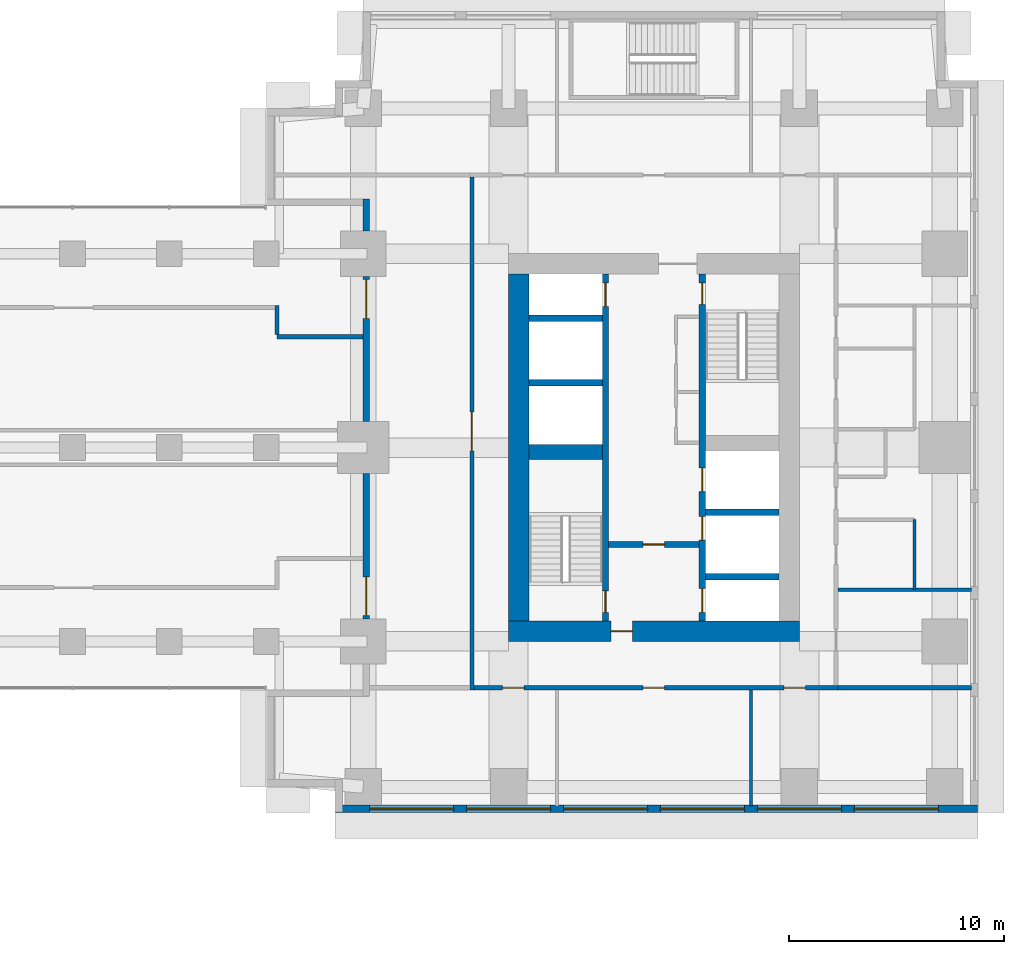
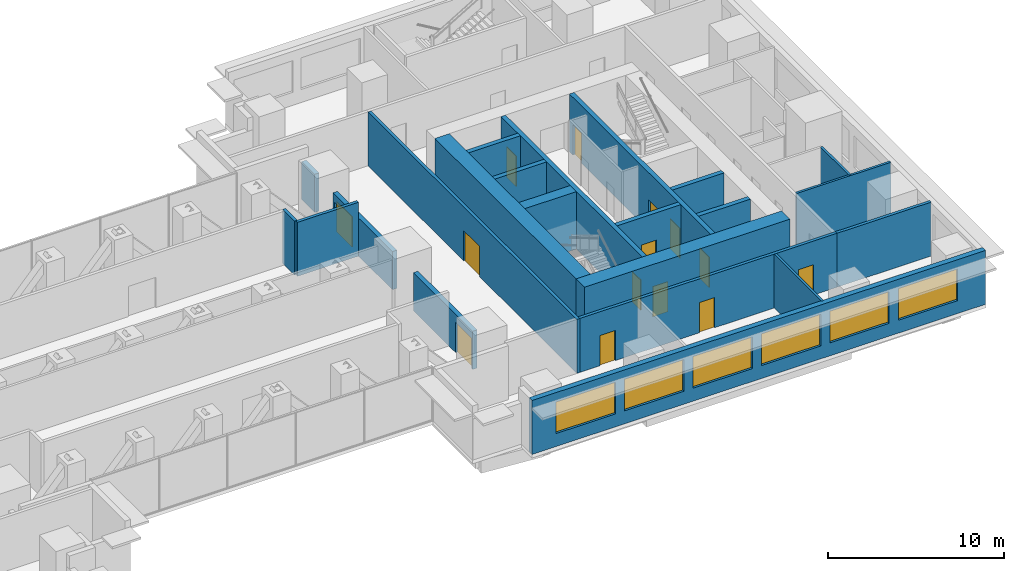
# One storey, part 10 of 15: 22 walls, 14 doors, 6 windows, 20 openings.
"""IFC4 building model written with IfcOpenShell, lengths in metres."""

from ifc_helpers import new_model, si_unit, direction, frame, frame_2d, origin, place, context, subcontext, project, spatial, rectangle, extrude, material, layer, layer_set, type_object, element, fill, save


model = new_model("IFC4")

# Units and contexts
model_context = context("Model", 3, precision=1e-05, world=origin(), true_north=direction((0.0, 1.0)))
body_context = subcontext(model_context, "Body", "Model", "MODEL_VIEW")
ifc_project = project(units=[si_unit("LENGTHUNIT", "METRE"), si_unit("AREAUNIT", "SQUARE_METRE"), si_unit("VOLUMEUNIT", "CUBIC_METRE"), si_unit("PLANEANGLEUNIT", "RADIAN"), si_unit("MASSUNIT", "GRAM", prefix="KILO")], contexts=[model_context])

# Site, building, storey
site_placement = place(None, origin())
site = spatial("IfcSite", under=ifc_project, at=site_placement, CompositionType="ELEMENT")
building_placement = place(site_placement, origin())
building = spatial("IfcBuilding", under=site, at=building_placement, Name="Namib Vertical Campus", CompositionType="ELEMENT")
storey_placement = place(building_placement, frame((0.0, 0.0, 109.0)))
storey = spatial("IfcBuildingStorey", under=building, at=storey_placement, Name="L25", CompositionType="ELEMENT", Elevation=109.0)

# Wall, openings, doors
ifc_material_1 = material(Name="Concrete C60/75", Category="concrete")
ifc_layer_1 = layer(ifc_material_1, 0.300048828125)
ifc_layer_set_1 = layer_set([ifc_layer_1], Name="Concrete C60/75")
wall_type_1 = type_object("IfcWallType", Name="Core inner wall 300", PredefinedType="SHEAR", material=ifc_layer_set_1)
wall_1_placement = place(storey_placement, frame((78.75, 12.199951171875, 0.0), z_axis=(0.0, 0.0, 1.0), x_axis=(0.0, 1.0, 0.0)))
wall_1 = element("IfcWall", 1, at=wall_1_placement, inside=storey, type_object=wall_type_1, Name="Core inner wall B L25 W1", PredefinedType="SHEAR", context=body_context, shape_type="SweptSolid", body=[
    extrude(rectangle(XDim=16.10009765625, YDim=0.300048828125, at=frame_2d((8.050048828125, 0.0))), origin(), (0.0, 0.0, 1.0), 4.0),
])
opening_1_placement = place(wall_1_placement, frame((0.39990234375, 0.0, 0.0)))
opening_1 = element("IfcOpeningElement", 2, at=opening_1_placement, cuts=wall_1, Name="Opening FD1", PredefinedType="OPENING", context=body_context, shape_type="SweptSolid", body=[
    extrude(rectangle(XDim=1.0, YDim=2.10009765625, at=frame_2d((0.5, 1.050048828125))), frame((0.0, 0.159912109375, 0.0), z_axis=(0.0, -1.0, 0.0), x_axis=(1.0, 0.0, 0.0)), (0.0, 0.0, 1.0), 0.320068359375),
])
opening_2_placement = place(wall_1_placement, frame((14.60009765625, 0.0, 0.0)))
opening_2 = element("IfcOpeningElement", 3, at=opening_2_placement, cuts=wall_1, Name="Opening LD1", PredefinedType="OPENING", context=body_context, shape_type="SweptSolid", body=[
    extrude(rectangle(XDim=1.10009765625, YDim=2.10009765625, at=frame_2d((0.550048828125, 1.050048828125))), frame((0.0, 0.159912109375, 0.0), z_axis=(0.0, -1.0, 0.0), x_axis=(1.0, 0.0, 0.0)), (0.0, 0.0, 1.0), 0.320068359375),
])
ifc_material_2 = material(Name="Steel fire door", Category="steel")
door_type_1 = type_object("IfcDoorType", Name="Fire door 1000x2100", OperationType="SINGLE_SWING_RIGHT", PredefinedType="DOOR", material=ifc_material_2)
door_1_placement = place(opening_1_placement, origin())
door_1 = element("IfcDoor", 4, at=door_1_placement, inside=storey, type_object=door_type_1, Name="Stair door FD1 B L25 S1", OperationType="SINGLE_SWING_LEFT", OverallHeight=2.10009765625, OverallWidth=1.0, PredefinedType="DOOR", context=body_context, shape_type="SweptSolid", body=[
    extrude(rectangle(XDim=1.0, YDim=2.10009765625, at=frame_2d((0.5, 1.050048828125))), frame((0.0, 0.02490234375, 0.0), z_axis=(0.0, -1.0, 0.0), x_axis=(1.0, 0.0, 0.0)), (0.0, 0.0, 1.0), 0.050048828125),
])
fill(opening_1, door_1)
ifc_material_3 = material(Name="Stainless steel lift door", Category="steel")
door_type_2 = type_object("IfcDoorType", Name="Lift landing door 1100x2100", OperationType="DOUBLE_DOOR_SLIDING", PredefinedType="DOOR", material=ifc_material_3)
door_2_placement = place(opening_2_placement, origin())
door_2 = element("IfcDoor", 5, at=door_2_placement, inside=storey, type_object=door_type_2, Name="Lift landing door LD1 B-P3 L25", OperationType="DOUBLE_DOOR_SLIDING", OverallHeight=2.10009765625, OverallWidth=1.10009765625, PredefinedType="DOOR", context=body_context, shape_type="SweptSolid", body=[
    extrude(rectangle(XDim=1.10009765625, YDim=2.10009765625, at=frame_2d((0.550048828125, 1.050048828125))), frame((0.0, 0.02490234375, 0.0), z_axis=(0.0, -1.0, 0.0), x_axis=(1.0, 0.0, 0.0)), (0.0, 0.0, 1.0), 0.050048828125),
])
fill(opening_2, door_2)

wall_2_placement = place(storey_placement, frame((83.25, 12.199951171875, 0.0), z_axis=(0.0, 0.0, 1.0), x_axis=(0.0, 1.0, 0.0)))
wall_2 = element("IfcWall", 6, at=wall_2_placement, inside=storey, type_object=wall_type_1, Name="Core inner wall B L25 W2", PredefinedType="SHEAR", context=body_context, shape_type="SweptSolid", body=[
    extrude(rectangle(XDim=16.10009765625, YDim=0.300048828125, at=frame_2d((8.050048828125, 0.0))), origin(), (0.0, 0.0, 1.0), 4.0),
])
opening_3_placement = place(wall_2_placement, frame((14.699951171875, 0.0, 0.0)))
opening_3 = element("IfcOpeningElement", 7, at=opening_3_placement, cuts=wall_2, Name="Opening FD1", PredefinedType="OPENING", context=body_context, shape_type="SweptSolid", body=[
    extrude(rectangle(XDim=1.0, YDim=2.10009765625, at=frame_2d((0.5, 1.050048828125))), frame((0.0, 0.159912109375, 0.0), z_axis=(0.0, -1.0, 0.0), x_axis=(1.0, 0.0, 0.0)), (0.0, 0.0, 1.0), 0.320068359375),
])
opening_4_placement = place(wall_2_placement, frame((0.39990234375, 0.0, 0.0)))
opening_4 = element("IfcOpeningElement", 8, at=opening_4_placement, cuts=wall_2, Name="Opening LD1", PredefinedType="OPENING", context=body_context, shape_type="SweptSolid", body=[
    extrude(rectangle(XDim=1.10009765625, YDim=2.10009765625, at=frame_2d((0.550048828125, 1.050048828125))), frame((0.0, 0.159912109375, 0.0), z_axis=(0.0, -1.0, 0.0), x_axis=(1.0, 0.0, 0.0)), (0.0, 0.0, 1.0), 0.320068359375),
])
opening_5_placement = place(wall_2_placement, frame((3.75, 0.0, 0.0)))
opening_5 = element("IfcOpeningElement", 9, at=opening_5_placement, cuts=wall_2, Name="Opening LD1", PredefinedType="OPENING", context=body_context, shape_type="SweptSolid", body=[
    extrude(rectangle(XDim=1.10009765625, YDim=2.10009765625, at=frame_2d((0.550048828125, 1.050048828125))), frame((0.0, 0.159912109375, 0.0), z_axis=(0.0, -1.0, 0.0), x_axis=(1.0, 0.0, 0.0)), (0.0, 0.0, 1.0), 0.320068359375),
])
opening_6_placement = place(wall_2_placement, frame((6.0, 0.0, 0.0)))
opening_6 = element("IfcOpeningElement", 10, at=opening_6_placement, cuts=wall_2, Name="Opening LD1", PredefinedType="OPENING", context=body_context, shape_type="SweptSolid", body=[
    extrude(rectangle(XDim=1.10009765625, YDim=2.10009765625, at=frame_2d((0.550048828125, 1.050048828125))), frame((0.0, 0.159912109375, 0.0), z_axis=(0.0, -1.0, 0.0), x_axis=(1.0, 0.0, 0.0)), (0.0, 0.0, 1.0), 0.320068359375),
])
door_3_placement = place(opening_3_placement, frame((1.0, 0.0, 0.0), z_axis=(0.0, 0.0, 1.0), x_axis=(-1.0, 0.0, 0.0)))
door_3 = element("IfcDoor", 11, at=door_3_placement, inside=storey, type_object=door_type_1, Name="Stair door FD1 B L25 S2", OperationType="SINGLE_SWING_LEFT", OverallHeight=2.10009765625, OverallWidth=1.0, PredefinedType="DOOR", context=body_context, shape_type="SweptSolid", body=[
    extrude(rectangle(XDim=1.0, YDim=2.10009765625, at=frame_2d((0.5, 1.050048828125))), frame((0.0, 0.02490234375, 0.0), z_axis=(0.0, -1.0, 0.0), x_axis=(1.0, 0.0, 0.0)), (0.0, 0.0, 1.0), 0.050048828125),
])
fill(opening_3, door_3)
door_4_placement = place(opening_4_placement, origin())
door_4 = element("IfcDoor", 12, at=door_4_placement, inside=storey, type_object=door_type_2, Name="Lift landing door LD1 B-FL1 L25", OperationType="DOUBLE_DOOR_SLIDING", OverallHeight=2.10009765625, OverallWidth=1.10009765625, PredefinedType="DOOR", context=body_context, shape_type="SweptSolid", body=[
    extrude(rectangle(XDim=1.10009765625, YDim=2.10009765625, at=frame_2d((0.550048828125, 1.050048828125))), frame((0.0, 0.02490234375, 0.0), z_axis=(0.0, -1.0, 0.0), x_axis=(1.0, 0.0, 0.0)), (0.0, 0.0, 1.0), 0.050048828125),
])
fill(opening_4, door_4)
door_5_placement = place(opening_5_placement, origin())
door_5 = element("IfcDoor", 13, at=door_5_placement, inside=storey, type_object=door_type_2, Name="Lift landing door LD1 B-P4 L25", OperationType="DOUBLE_DOOR_SLIDING", OverallHeight=2.10009765625, OverallWidth=1.10009765625, PredefinedType="DOOR", context=body_context, shape_type="SweptSolid", body=[
    extrude(rectangle(XDim=1.10009765625, YDim=2.10009765625, at=frame_2d((0.550048828125, 1.050048828125))), frame((0.0, 0.02490234375, 0.0), z_axis=(0.0, -1.0, 0.0), x_axis=(1.0, 0.0, 0.0)), (0.0, 0.0, 1.0), 0.050048828125),
])
fill(opening_5, door_5)
door_6_placement = place(opening_6_placement, origin())
door_6 = element("IfcDoor", 14, at=door_6_placement, inside=storey, type_object=door_type_2, Name="Lift landing door LD1 B-P5 L25", OperationType="DOUBLE_DOOR_SLIDING", OverallHeight=2.10009765625, OverallWidth=1.10009765625, PredefinedType="DOOR", context=body_context, shape_type="SweptSolid", body=[
    extrude(rectangle(XDim=1.10009765625, YDim=2.10009765625, at=frame_2d((0.550048828125, 1.050048828125))), frame((0.0, 0.02490234375, 0.0), z_axis=(0.0, -1.0, 0.0), x_axis=(1.0, 0.0, 0.0)), (0.0, 0.0, 1.0), 0.050048828125),
])
fill(opening_6, door_6)

# Wall, opening, door
wall_3_placement = place(storey_placement, frame((78.89990234375, 15.75, 0.0), z_axis=(0.0, 0.0, 1.0), x_axis=(1.0, 0.0, 0.0)))
wall_3 = element("IfcWall", 15, at=wall_3_placement, inside=storey, type_object=wall_type_1, Name="Core inner wall B L25 W4", PredefinedType="SHEAR", context=body_context, shape_type="SweptSolid", body=[
    extrude(rectangle(XDim=4.2001953125, YDim=0.300048828125, at=frame_2d((2.10009765625, 0.0))), origin(), (0.0, 0.0, 1.0), 4.0),
])
opening_7_placement = place(wall_3_placement, frame((1.60009765625, 0.0, 0.0)))
opening_7 = element("IfcOpeningElement", 16, at=opening_7_placement, cuts=wall_3, Name="Opening FD5", PredefinedType="OPENING", context=body_context, shape_type="SweptSolid", body=[
    extrude(rectangle(XDim=1.0, YDim=2.10009765625, at=frame_2d((0.5, 1.050048828125))), frame((0.0, 0.159912109375, 0.0), z_axis=(0.0, -1.0, 0.0), x_axis=(1.0, 0.0, 0.0)), (0.0, 0.0, 1.0), 0.320068359375),
])
ifc_material_4 = material(Name="Steel fire door", Category="steel")
door_type_3 = type_object("IfcDoorType", Name="Fire door 1000x2100 120 min", OperationType="SINGLE_SWING_RIGHT", PredefinedType="DOOR", material=ifc_material_4)
door_7_placement = place(opening_7_placement, frame((1.0, 0.0, 0.0), z_axis=(0.0, 0.0, 1.0), x_axis=(-1.0, 0.0, 0.0)))
door_7 = element("IfcDoor", 17, at=door_7_placement, inside=storey, type_object=door_type_3, Name="Lobby door FD5 B L25", OperationType="SINGLE_SWING_RIGHT", OverallHeight=2.10009765625, OverallWidth=1.0, PredefinedType="DOOR", context=body_context, shape_type="SweptSolid", body=[
    extrude(rectangle(XDim=1.0, YDim=2.10009765625, at=frame_2d((0.5, 1.050048828125))), frame((0.0, 0.02490234375, 0.0), z_axis=(0.0, -1.0, 0.0), x_axis=(1.0, 0.0, 0.0)), (0.0, 0.0, 1.0), 0.050048828125),
])
fill(opening_7, door_7)

# Walls
for number, where, z_axis, x_axis, name in (
    (18, (83.39990234375, 14.25, 0.0), (0.0, 0.0, 1.0), (1.0, 0.0, 0.0), "Core inner wall B L25 W5"),
    (19, (83.39990234375, 17.25, 0.0), (0.0, 0.0, 1.0), (1.0, 0.0, 0.0), "Core inner wall B L25 W6"),
    (20, (75.199951171875, 23.25, 0.0), (0.0, 0.0, 1.0), (1.0, 0.0, 0.0), "Core inner wall B L25 W8"),
    (21, (75.199951171875, 26.25, 0.0), (0.0, 0.0, 1.0), (1.0, 0.0, 0.0), "Core inner wall B L25 W9"),
):
    element("IfcWall", number, at=place(storey_placement, frame(where, z_axis=z_axis, x_axis=x_axis)), inside=storey, type_object=wall_type_1, Name=name, PredefinedType="SHEAR", context=body_context, shape_type="SweptSolid", body=[
        extrude(rectangle(XDim=3.400146484375, YDim=0.300048828125, at=frame_2d((1.7001953125, 0.0))), origin(), (0.0, 0.0, 1.0), 4.0),
    ])
ifc_material_5 = material(Name="Concrete C60/75", Category="concrete")
ifc_layer_2 = layer(ifc_material_5, 0.699951171875)
ifc_layer_set_2 = layer_set([ifc_layer_2], Name="Concrete C60/75")
wall_type_2 = type_object("IfcWallType", Name="Core shear wall 700", PredefinedType="SHEAR", material=ifc_layer_set_2)
wall_4_placement = place(storey_placement, frame((75.199951171875, 20.050048828125, 0.0), z_axis=(0.0, 0.0, 1.0), x_axis=(1.0, 0.0, 0.0)))
element("IfcWall", 22, at=wall_4_placement, inside=storey, type_object=wall_type_2, Name="Core shear wall B L25 W3", PredefinedType="SHEAR", context=body_context, shape_type="SweptSolid", body=[
    extrude(rectangle(XDim=3.400146484375, YDim=0.699951171875, at=frame_2d((1.7001953125, 0.0))), origin(), (0.0, 0.0, 1.0), 4.0),
])

# Wall, opening, door
ifc_material_6 = material(Name="Concrete C60/75", Category="concrete")
ifc_layer_3 = layer(ifc_material_6, 0.949951171875)
ifc_layer_set_3 = layer_set([ifc_layer_3], Name="Concrete C60/75")
wall_type_3 = type_object("IfcWallType", Name="Core wall 950", PredefinedType="SHEAR", material=ifc_layer_set_3)
wall_5_placement = place(storey_placement, frame((74.25, 11.72509765625, 0.0), z_axis=(0.0, 0.0, 1.0), x_axis=(1.0, 0.0, 0.0)))
wall_5 = element("IfcWall", 23, at=wall_5_placement, inside=storey, type_object=wall_type_3, Name="Core wall B L25 1", PredefinedType="SHEAR", context=body_context, shape_type="SweptSolid", body=[
    extrude(rectangle(XDim=13.5, YDim=0.949951171875, at=frame_2d((6.75, 0.0))), origin(), (0.0, 0.0, 1.0), 4.0),
])
opening_8_placement = place(wall_5_placement, frame((4.75, 0.0, 0.0)))
opening_8 = element("IfcOpeningElement", 24, at=opening_8_placement, cuts=wall_5, Name="Opening FD5", PredefinedType="OPENING", context=body_context, shape_type="SweptSolid", body=[
    extrude(rectangle(XDim=1.0, YDim=2.10009765625, at=frame_2d((0.5, 1.050048828125))), frame((0.0, 0.48486328125, 0.0), z_axis=(0.0, -1.0, 0.0), x_axis=(1.0, 0.0, 0.0)), (0.0, 0.0, 1.0), 0.969970703125),
])
door_8_placement = place(opening_8_placement, origin())
door_8 = element("IfcDoor", 25, at=door_8_placement, inside=storey, type_object=door_type_3, Name="Firefighting lobby door FD5 B L25", OperationType="SINGLE_SWING_LEFT", OverallHeight=2.10009765625, OverallWidth=1.0, PredefinedType="DOOR", context=body_context, shape_type="SweptSolid", body=[
    extrude(rectangle(XDim=1.0, YDim=2.10009765625, at=frame_2d((0.5, 1.050048828125))), frame((0.0, 0.02490234375, 0.0), z_axis=(0.0, -1.0, 0.0), x_axis=(1.0, 0.0, 0.0)), (0.0, 0.0, 1.0), 0.050048828125),
])
fill(opening_8, door_8)

# Wall
wall_6_placement = place(storey_placement, frame((74.72509765625, 28.300048828125, 0.0), z_axis=(0.0, 0.0, 1.0), x_axis=(0.0, -1.0, 0.0)))
element("IfcWall", 26, at=wall_6_placement, inside=storey, type_object=wall_type_3, Name="Core wall B L25 4", PredefinedType="SHEAR", context=body_context, shape_type="SweptSolid", body=[
    extrude(rectangle(XDim=16.10009765625, YDim=0.949951171875, at=frame_2d((8.050048828125, 0.0))), origin(), (0.0, 0.0, 1.0), 4.0),
])

# Wall, openings, doors
ifc_material_7 = material(Name="Concrete masonry", Category="masonry")
ifc_layer_4 = layer(ifc_material_7, 0.199951171875)
ifc_layer_set_4 = layer_set([ifc_layer_4], Name="Corridor wall 200")
wall_type_4 = type_object("IfcWallType", Name="Corridor wall 200", PredefinedType="SOLIDWALL", material=ifc_layer_set_4)
wall_7_placement = place(storey_placement, frame((72.64990234375, 9.10009765625, 0.0), z_axis=(0.0, 0.0, 1.0), x_axis=(1.0, 0.0, 0.0)))
wall_7 = element("IfcWall", 27, at=wall_7_placement, inside=storey, type_object=wall_type_4, Name="Corridor wall B L25 CS", PredefinedType="SOLIDWALL", context=body_context, shape_type="SweptSolid", body=[
    extrude(rectangle(XDim=16.900146484375, YDim=0.199951171875, at=frame_2d((8.4501953125, 0.0))), origin(), (0.0, 0.0, 1.0), 3.75),
])
opening_9_placement = place(wall_7_placement, frame((1.324951171875, 0.0, 0.0)))
opening_9 = element("IfcOpeningElement", 28, at=opening_9_placement, cuts=wall_7, Name="Opening CD1", PredefinedType="OPENING", context=body_context, shape_type="SweptSolid", body=[
    extrude(rectangle(XDim=1.0, YDim=2.10009765625, at=frame_2d((0.5, 1.050048828125))), frame((0.0, 0.10986328125, 0.0), z_axis=(0.0, -1.0, 0.0), x_axis=(1.0, 0.0, 0.0)), (0.0, 0.0, 1.0), 0.219970703125),
])
opening_10_placement = place(wall_7_placement, frame((7.85009765625, 0.0, 0.0)))
opening_10 = element("IfcOpeningElement", 29, at=opening_10_placement, cuts=wall_7, Name="Opening CD1", PredefinedType="OPENING", context=body_context, shape_type="SweptSolid", body=[
    extrude(rectangle(XDim=1.0, YDim=2.10009765625, at=frame_2d((0.5, 1.050048828125))), frame((0.0, 0.10986328125, 0.0), z_axis=(0.0, -1.0, 0.0), x_axis=(1.0, 0.0, 0.0)), (0.0, 0.0, 1.0), 0.219970703125),
])
opening_11_placement = place(wall_7_placement, frame((14.375, 0.0, 0.0)))
opening_11 = element("IfcOpeningElement", 30, at=opening_11_placement, cuts=wall_7, Name="Opening CD1", PredefinedType="OPENING", context=body_context, shape_type="SweptSolid", body=[
    extrude(rectangle(XDim=1.0, YDim=2.10009765625, at=frame_2d((0.5, 1.050048828125))), frame((0.0, 0.10986328125, 0.0), z_axis=(0.0, -1.0, 0.0), x_axis=(1.0, 0.0, 0.0)), (0.0, 0.0, 1.0), 0.219970703125),
])
ifc_material_8 = material(Name="Timber fire door leaf", Category="wood")
door_type_4 = type_object("IfcDoorType", Name="Corridor door 1000x2100 20 min", OperationType="SINGLE_SWING_LEFT", PredefinedType="DOOR", material=ifc_material_8)
door_9_placement = place(opening_9_placement, frame((1.0, 0.0, 0.0), z_axis=(0.0, 0.0, 1.0), x_axis=(-1.0, 0.0, 0.0)))
door_9 = element("IfcDoor", 31, at=door_9_placement, inside=storey, type_object=door_type_4, Name="Door CD1 B25-01", OperationType="SINGLE_SWING_LEFT", OverallHeight=2.10009765625, OverallWidth=1.0, PredefinedType="DOOR", context=body_context, shape_type="SweptSolid", body=[
    extrude(rectangle(XDim=1.0, YDim=2.10009765625, at=frame_2d((0.5, 1.050048828125))), frame((0.0, 0.02490234375, 0.0), z_axis=(0.0, -1.0, 0.0), x_axis=(1.0, 0.0, 0.0)), (0.0, 0.0, 1.0), 0.050048828125),
])
fill(opening_9, door_9)
door_10_placement = place(opening_10_placement, frame((1.0, 0.0, 0.0), z_axis=(0.0, 0.0, 1.0), x_axis=(-1.0, 0.0, 0.0)))
door_10 = element("IfcDoor", 32, at=door_10_placement, inside=storey, type_object=door_type_4, Name="Door CD1 B25-02", OperationType="SINGLE_SWING_RIGHT", OverallHeight=2.10009765625, OverallWidth=1.0, PredefinedType="DOOR", context=body_context, shape_type="SweptSolid", body=[
    extrude(rectangle(XDim=1.0, YDim=2.10009765625, at=frame_2d((0.5, 1.050048828125))), frame((0.0, 0.02490234375, 0.0), z_axis=(0.0, -1.0, 0.0), x_axis=(1.0, 0.0, 0.0)), (0.0, 0.0, 1.0), 0.050048828125),
])
fill(opening_10, door_10)
door_11_placement = place(opening_11_placement, frame((1.0, 0.0, 0.0), z_axis=(0.0, 0.0, 1.0), x_axis=(-1.0, 0.0, 0.0)))
door_11 = element("IfcDoor", 33, at=door_11_placement, inside=storey, type_object=door_type_4, Name="Door CD1 B25-03", OperationType="SINGLE_SWING_RIGHT", OverallHeight=2.10009765625, OverallWidth=1.0, PredefinedType="DOOR", context=body_context, shape_type="SweptSolid", body=[
    extrude(rectangle(XDim=1.0, YDim=2.10009765625, at=frame_2d((0.5, 1.050048828125))), frame((0.0, 0.02490234375, 0.0), z_axis=(0.0, -1.0, 0.0), x_axis=(1.0, 0.0, 0.0)), (0.0, 0.0, 1.0), 0.050048828125),
])
fill(opening_11, door_11)

# Wall, opening, door
wall_8_placement = place(storey_placement, frame((72.550048828125, 32.800048828125, 0.0), z_axis=(0.0, 0.0, 1.0), x_axis=(0.0, -1.0, 0.0)))
wall_8 = element("IfcWall", 34, at=wall_8_placement, inside=storey, type_object=wall_type_4, Name="Corridor wall B L25 CW", PredefinedType="SOLIDWALL", context=body_context, shape_type="SweptSolid", body=[
    extrude(rectangle(XDim=23.800048828125, YDim=0.199951171875, at=frame_2d((11.89990234375, 0.0))), origin(), (0.0, 0.0, 1.0), 3.75),
])
opening_12_placement = place(wall_8_placement, frame((10.89990234375, 0.0, 0.0)))
opening_12 = element("IfcOpeningElement", 35, at=opening_12_placement, cuts=wall_8, Name="Opening FD2", PredefinedType="OPENING", context=body_context, shape_type="SweptSolid", body=[
    extrude(rectangle(XDim=1.800048828125, YDim=2.10009765625, at=frame_2d((0.89990234375, 1.050048828125))), frame((0.0, 0.10986328125, 0.0), z_axis=(0.0, -1.0, 0.0), x_axis=(1.0, 0.0, 0.0)), (0.0, 0.0, 1.0), 0.219970703125),
])
ifc_material_9 = material(Name="Steel fire door", Category="steel")
door_type_5 = type_object("IfcDoorType", Name="Fire door double 1800x2100", OperationType="DOUBLE_DOOR_SINGLE_SWING", PredefinedType="DOOR", material=ifc_material_9)
door_12_placement = place(opening_12_placement, origin())
door_12 = element("IfcDoor", 36, at=door_12_placement, inside=storey, type_object=door_type_5, Name="Door FD2 B25-14", OperationType="DOUBLE_DOOR_SINGLE_SWING", OverallHeight=2.10009765625, OverallWidth=1.800048828125, PredefinedType="DOOR", context=body_context, shape_type="SweptSolid", body=[
    extrude(rectangle(XDim=1.800048828125, YDim=2.10009765625, at=frame_2d((0.89990234375, 1.050048828125))), frame((0.0, 0.02490234375, 0.0), z_axis=(0.0, -1.0, 0.0), x_axis=(1.0, 0.0, 0.0)), (0.0, 0.0, 1.0), 0.050048828125),
])
fill(opening_12, door_12)

# Walls
wall_9_placement = place(storey_placement, frame((89.550048828125, 9.10009765625, 0.0), z_axis=(0.0, 0.0, 1.0), x_axis=(1.0, 0.0, 0.0)))
element("IfcWall", 37, at=wall_9_placement, inside=storey, type_object=wall_type_4, Name="Partition B L25 BSE", PredefinedType="SOLIDWALL", context=body_context, shape_type="SweptSolid", body=[
    extrude(rectangle(XDim=6.199951171875, YDim=0.199951171875, at=frame_2d((3.10009765625, 0.0))), origin(), (0.0, 0.0, 1.0), 3.75),
])
wall_10_placement = place(storey_placement, frame((63.5, 25.39990234375, 0.0), z_axis=(0.0, 0.0, 1.0), x_axis=(1.0, 0.0, 0.0)))
element("IfcWall", 38, at=wall_10_placement, inside=storey, type_object=wall_type_4, Name="Lobby wall L25 NE", PredefinedType="SOLIDWALL", context=body_context, shape_type="SweptSolid", body=[
    extrude(rectangle(XDim=4.0, YDim=0.199951171875, at=frame_2d((2.0, 0.0))), origin(), (0.0, 0.0, 1.0), 3.75),
])
wall_11_placement = place(storey_placement, frame((63.5, 26.85009765625, 0.0), z_axis=(0.0, 0.0, 1.0), x_axis=(0.0, -1.0, 0.0)))
element("IfcWall", 39, at=wall_11_placement, inside=storey, type_object=wall_type_4, Name="Lobby side wall L25 NE", PredefinedType="SOLIDWALL", context=body_context, shape_type="SweptSolid", body=[
    extrude(rectangle(XDim=1.35009765625, YDim=0.199951171875, at=frame_2d((0.675048828125, 0.0))), origin(), (0.0, 0.0, 1.0), 3.75),
])

# Wall, openings, windows
ifc_material_10 = material(Name="Concrete C40/50", Category="concrete")
ifc_layer_5 = layer(ifc_material_10, 0.35009765625)
ifc_layer_set_5 = layer_set([ifc_layer_5], Name="Concrete C40/50")
wall_type_5 = type_object("IfcWallType", Name="External wall 350 bush-hammered concrete", PredefinedType="STANDARD", material=ifc_layer_set_5)
wall_12_placement = place(storey_placement, frame((66.219970703125, 3.47509765625, 0.0), z_axis=(0.0, 0.0, 1.0), x_axis=(1.0, 0.0, 0.0)))
wall_12 = element("IfcWall", 40, at=wall_12_placement, inside=storey, type_object=wall_type_5, Name="External wall L25 F04", PredefinedType="STANDARD", context=body_context, shape_type="SweptSolid", body=[
    extrude(rectangle(XDim=29.81005859375, YDim=0.35009765625, at=frame_2d((14.905029296875, 0.0))), origin(), (0.0, 0.0, 1.0), 3.75),
])
opening_13_placement = place(wall_12_placement, frame((1.580078125, 0.0, 0.89990234375)))
opening_13 = element("IfcOpeningElement", 41, at=opening_13_placement, cuts=wall_12, Name="Opening W1", PredefinedType="OPENING", context=body_context, shape_type="SweptSolid", body=[
    extrude(rectangle(XDim=3.89990234375, YDim=2.199951171875, at=frame_2d((1.949951171875, 1.10009765625))), frame((0.0, 0.18505859375, 0.0), z_axis=(0.0, -1.0, 0.0), x_axis=(1.0, 0.0, 0.0)), (0.0, 0.0, 1.0), 0.3701171875),
])
opening_14_placement = place(wall_12_placement, frame((6.080078125, 0.0, 0.89990234375)))
opening_14 = element("IfcOpeningElement", 42, at=opening_14_placement, cuts=wall_12, Name="Opening W1", PredefinedType="OPENING", context=body_context, shape_type="SweptSolid", body=[
    extrude(rectangle(XDim=3.89990234375, YDim=2.199951171875, at=frame_2d((1.949951171875, 1.10009765625))), frame((0.0, 0.18505859375, 0.0), z_axis=(0.0, -1.0, 0.0), x_axis=(1.0, 0.0, 0.0)), (0.0, 0.0, 1.0), 0.3701171875),
])
opening_15_placement = place(wall_12_placement, frame((10.580078125, 0.0, 0.89990234375)))
opening_15 = element("IfcOpeningElement", 43, at=opening_15_placement, cuts=wall_12, Name="Opening W1", PredefinedType="OPENING", context=body_context, shape_type="SweptSolid", body=[
    extrude(rectangle(XDim=3.89990234375, YDim=2.199951171875, at=frame_2d((1.949951171875, 1.10009765625))), frame((0.0, 0.18505859375, 0.0), z_axis=(0.0, -1.0, 0.0), x_axis=(1.0, 0.0, 0.0)), (0.0, 0.0, 1.0), 0.3701171875),
])
opening_16_placement = place(wall_12_placement, frame((15.080078125, 0.0, 0.89990234375)))
opening_16 = element("IfcOpeningElement", 44, at=opening_16_placement, cuts=wall_12, Name="Opening W1", PredefinedType="OPENING", context=body_context, shape_type="SweptSolid", body=[
    extrude(rectangle(XDim=3.89990234375, YDim=2.199951171875, at=frame_2d((1.949951171875, 1.10009765625))), frame((0.0, 0.18505859375, 0.0), z_axis=(0.0, -1.0, 0.0), x_axis=(1.0, 0.0, 0.0)), (0.0, 0.0, 1.0), 0.3701171875),
])
opening_17_placement = place(wall_12_placement, frame((19.580078125, 0.0, 0.89990234375)))
opening_17 = element("IfcOpeningElement", 45, at=opening_17_placement, cuts=wall_12, Name="Opening W1", PredefinedType="OPENING", context=body_context, shape_type="SweptSolid", body=[
    extrude(rectangle(XDim=3.89990234375, YDim=2.199951171875, at=frame_2d((1.949951171875, 1.10009765625))), frame((0.0, 0.18505859375, 0.0), z_axis=(0.0, -1.0, 0.0), x_axis=(1.0, 0.0, 0.0)), (0.0, 0.0, 1.0), 0.3701171875),
])
opening_18_placement = place(wall_12_placement, frame((24.080078125, 0.0, 0.89990234375)))
opening_18 = element("IfcOpeningElement", 46, at=opening_18_placement, cuts=wall_12, Name="Opening W1", PredefinedType="OPENING", context=body_context, shape_type="SweptSolid", body=[
    extrude(rectangle(XDim=3.89990234375, YDim=2.199951171875, at=frame_2d((1.949951171875, 1.10009765625))), frame((0.0, 0.18505859375, 0.0), z_axis=(0.0, -1.0, 0.0), x_axis=(1.0, 0.0, 0.0)), (0.0, 0.0, 1.0), 0.3701171875),
])
ifc_material_11 = material(Name="Dark tinted glass in black aluminium frame", Category="aluminium")
window_type = type_object("IfcWindowType", Name="Ribbon window 3900x2200", PartitioningType="SINGLE_PANEL", PredefinedType="WINDOW", material=ifc_material_11)
window_1_placement = place(opening_13_placement, origin())
window_1 = element("IfcWindow", 47, at=window_1_placement, inside=storey, type_object=window_type, Name="Window W1 L25 F04-1", OverallHeight=2.199951171875, OverallWidth=3.89990234375, PartitioningType="SINGLE_PANEL", PredefinedType="WINDOW", context=body_context, shape_type="SweptSolid", body=[
    extrude(rectangle(XDim=3.89990234375, YDim=2.199951171875, at=frame_2d((1.949951171875, 1.10009765625))), frame((0.0, 0.030029296875, 0.0), z_axis=(0.0, -1.0, 0.0), x_axis=(1.0, 0.0, 0.0)), (0.0, 0.0, 1.0), 0.06005859375),
])
fill(opening_13, window_1)
window_2_placement = place(opening_14_placement, origin())
window_2 = element("IfcWindow", 48, at=window_2_placement, inside=storey, type_object=window_type, Name="Window W1 L25 F04-2", OverallHeight=2.199951171875, OverallWidth=3.89990234375, PartitioningType="SINGLE_PANEL", PredefinedType="WINDOW", context=body_context, shape_type="SweptSolid", body=[
    extrude(rectangle(XDim=3.89990234375, YDim=2.199951171875, at=frame_2d((1.949951171875, 1.10009765625))), frame((0.0, 0.030029296875, 0.0), z_axis=(0.0, -1.0, 0.0), x_axis=(1.0, 0.0, 0.0)), (0.0, 0.0, 1.0), 0.06005859375),
])
fill(opening_14, window_2)
window_3_placement = place(opening_15_placement, origin())
window_3 = element("IfcWindow", 49, at=window_3_placement, inside=storey, type_object=window_type, Name="Window W1 L25 F04-3", OverallHeight=2.199951171875, OverallWidth=3.89990234375, PartitioningType="SINGLE_PANEL", PredefinedType="WINDOW", context=body_context, shape_type="SweptSolid", body=[
    extrude(rectangle(XDim=3.89990234375, YDim=2.199951171875, at=frame_2d((1.949951171875, 1.10009765625))), frame((0.0, 0.030029296875, 0.0), z_axis=(0.0, -1.0, 0.0), x_axis=(1.0, 0.0, 0.0)), (0.0, 0.0, 1.0), 0.06005859375),
])
fill(opening_15, window_3)
window_4_placement = place(opening_16_placement, origin())
window_4 = element("IfcWindow", 50, at=window_4_placement, inside=storey, type_object=window_type, Name="Window W1 L25 F04-4", OverallHeight=2.199951171875, OverallWidth=3.89990234375, PartitioningType="SINGLE_PANEL", PredefinedType="WINDOW", context=body_context, shape_type="SweptSolid", body=[
    extrude(rectangle(XDim=3.89990234375, YDim=2.199951171875, at=frame_2d((1.949951171875, 1.10009765625))), frame((0.0, 0.030029296875, 0.0), z_axis=(0.0, -1.0, 0.0), x_axis=(1.0, 0.0, 0.0)), (0.0, 0.0, 1.0), 0.06005859375),
])
fill(opening_16, window_4)
window_5_placement = place(opening_17_placement, origin())
window_5 = element("IfcWindow", 51, at=window_5_placement, inside=storey, type_object=window_type, Name="Window W1 L25 F04-5", OverallHeight=2.199951171875, OverallWidth=3.89990234375, PartitioningType="SINGLE_PANEL", PredefinedType="WINDOW", context=body_context, shape_type="SweptSolid", body=[
    extrude(rectangle(XDim=3.89990234375, YDim=2.199951171875, at=frame_2d((1.949951171875, 1.10009765625))), frame((0.0, 0.030029296875, 0.0), z_axis=(0.0, -1.0, 0.0), x_axis=(1.0, 0.0, 0.0)), (0.0, 0.0, 1.0), 0.06005859375),
])
fill(opening_17, window_5)
window_6_placement = place(opening_18_placement, origin())
window_6 = element("IfcWindow", 52, at=window_6_placement, inside=storey, type_object=window_type, Name="Window W1 L25 F04-6", OverallHeight=2.199951171875, OverallWidth=3.89990234375, PartitioningType="SINGLE_PANEL", PredefinedType="WINDOW", context=body_context, shape_type="SweptSolid", body=[
    extrude(rectangle(XDim=3.89990234375, YDim=2.199951171875, at=frame_2d((1.949951171875, 1.10009765625))), frame((0.0, 0.030029296875, 0.0), z_axis=(0.0, -1.0, 0.0), x_axis=(1.0, 0.0, 0.0)), (0.0, 0.0, 1.0), 0.06005859375),
])
fill(opening_18, window_6)

# Wall
ifc_material_12 = material(Name="Concrete masonry", Category="masonry")
ifc_layer_6 = layer(ifc_material_12, 0.300048828125)
ifc_layer_set_6 = layer_set([ifc_layer_6], Name="Fire wall 300")
wall_type_6 = type_object("IfcWallType", Name="Fire wall 300", PredefinedType="SOLIDWALL", material=ifc_layer_set_6)
wall_13_placement = place(storey_placement, frame((67.64990234375, 31.780029296875, 0.0), z_axis=(0.0, 0.0, 1.0), x_axis=(0.0, -1.0, 0.0)))
element("IfcWall", 53, at=wall_13_placement, inside=storey, type_object=wall_type_6, Name="External wall L25 F15", PredefinedType="SOLIDWALL", context=body_context, shape_type="SweptSolid", body=[
    extrude(rectangle(XDim=1.47998046875, YDim=0.300048828125, at=frame_2d((0.739990234375, 0.0))), origin(), (0.0, 0.0, 1.0), 2.64990234375),
])

# Wall, opening, door
wall_14_placement = place(storey_placement, frame((67.64990234375, 28.199951171875, 0.0), z_axis=(0.0, 0.0, 1.0), x_axis=(0.0, -1.0, 0.0)))
wall_14 = element("IfcWall", 54, at=wall_14_placement, inside=storey, type_object=wall_type_6, Name="External wall L25 F15", PredefinedType="SOLIDWALL", context=body_context, shape_type="SweptSolid", body=[
    extrude(rectangle(XDim=6.75, YDim=0.300048828125, at=frame_2d((3.375, 0.0))), origin(), (0.0, 0.0, 1.0), 2.64990234375),
])
opening_19_placement = place(wall_14_placement, frame((0.14990234375, 0.0, 0.0)))
opening_19 = element("IfcOpeningElement", 55, at=opening_19_placement, cuts=wall_14, Name="Opening FD4", PredefinedType="OPENING", context=body_context, shape_type="SweptSolid", body=[
    extrude(rectangle(XDim=1.800048828125, YDim=2.10009765625, at=frame_2d((0.89990234375, 1.050048828125))), frame((0.0, 0.159912109375, 0.0), z_axis=(0.0, -1.0, 0.0), x_axis=(1.0, 0.0, 0.0)), (0.0, 0.0, 1.0), 0.320068359375),
])
ifc_material_13 = material(Name="Steel fire door", Category="steel")
door_type_6 = type_object("IfcDoorType", Name="Fire door double 1800x2100 120 min", OperationType="DOUBLE_DOOR_SINGLE_SWING", PredefinedType="DOOR", material=ifc_material_13)
door_13_placement = place(opening_19_placement, origin())
door_13 = element("IfcDoor", 56, at=door_13_placement, inside=storey, type_object=door_type_6, Name="Bridge fire door FD4 B L25 north", OperationType="DOUBLE_DOOR_SINGLE_SWING", OverallHeight=2.10009765625, OverallWidth=1.800048828125, PredefinedType="DOOR", context=body_context, shape_type="SweptSolid", body=[
    extrude(rectangle(XDim=1.800048828125, YDim=2.10009765625, at=frame_2d((0.89990234375, 1.050048828125))), frame((0.0, 0.02490234375, 0.0), z_axis=(0.0, -1.0, 0.0), x_axis=(1.0, 0.0, 0.0)), (0.0, 0.0, 1.0), 0.050048828125),
])
fill(opening_19, door_13)

wall_15_placement = place(storey_placement, frame((67.64990234375, 19.050048828125, 0.0), z_axis=(0.0, 0.0, 1.0), x_axis=(0.0, -1.0, 0.0)))
wall_15 = element("IfcWall", 57, at=wall_15_placement, inside=storey, type_object=wall_type_6, Name="External wall L25 F15", PredefinedType="SOLIDWALL", context=body_context, shape_type="SweptSolid", body=[
    extrude(rectangle(XDim=6.75, YDim=0.300048828125, at=frame_2d((3.375, 0.0))), origin(), (0.0, 0.0, 1.0), 2.64990234375),
])
opening_20_placement = place(wall_15_placement, frame((4.800048828125, 0.0, 0.0)))
opening_20 = element("IfcOpeningElement", 58, at=opening_20_placement, cuts=wall_15, Name="Opening FD4", PredefinedType="OPENING", context=body_context, shape_type="SweptSolid", body=[
    extrude(rectangle(XDim=1.800048828125, YDim=2.10009765625, at=frame_2d((0.89990234375, 1.050048828125))), frame((0.0, 0.159912109375, 0.0), z_axis=(0.0, -1.0, 0.0), x_axis=(1.0, 0.0, 0.0)), (0.0, 0.0, 1.0), 0.320068359375),
])
door_14_placement = place(opening_20_placement, origin())
door_14 = element("IfcDoor", 59, at=door_14_placement, inside=storey, type_object=door_type_6, Name="Bridge fire door FD4 B L25", OperationType="DOUBLE_DOOR_SINGLE_SWING", OverallHeight=2.10009765625, OverallWidth=1.800048828125, PredefinedType="DOOR", context=body_context, shape_type="SweptSolid", body=[
    extrude(rectangle(XDim=1.800048828125, YDim=2.10009765625, at=frame_2d((0.89990234375, 1.050048828125))), frame((0.0, 0.02490234375, 0.0), z_axis=(0.0, -1.0, 0.0), x_axis=(1.0, 0.0, 0.0)), (0.0, 0.0, 1.0), 0.050048828125),
])
fill(opening_20, door_14)

# Walls
ifc_material_14 = material(Name="Gypsum board on steel studs", Category="steel")
ifc_layer_7 = layer(ifc_material_14, 0.14990234375)
ifc_layer_set_7 = layer_set([ifc_layer_7], Name="Gypsum board on steel studs")
wall_type_7 = type_object("IfcWallType", Name="Partition 150", PredefinedType="PARTITIONING", material=ifc_layer_set_7)
wall_16_placement = place(storey_placement, frame((85.5, 3.60009765625, 0.0), z_axis=(0.0, 0.0, 1.0), x_axis=(0.0, 1.0, 0.0)))
element("IfcWall", 60, at=wall_16_placement, inside=storey, type_object=wall_type_7, Name="Partition B L25 PS2", PredefinedType="PARTITIONING", context=body_context, shape_type="SweptSolid", body=[
    extrude(rectangle(XDim=5.39990234375, YDim=0.14990234375, at=frame_2d((2.699951171875, 0.0))), origin(), (0.0, 0.0, 1.0), 3.75),
])
wall_17_placement = place(storey_placement, frame((89.550048828125, 13.64990234375, 0.0), z_axis=(0.0, 0.0, 1.0), x_axis=(1.0, 0.0, 0.0)))
element("IfcWall", 61, at=wall_17_placement, inside=storey, type_object=wall_type_7, Name="Partition B L25 PE1", PredefinedType="PARTITIONING", context=body_context, shape_type="SweptSolid", body=[
    extrude(rectangle(XDim=6.199951171875, YDim=0.14990234375, at=frame_2d((3.10009765625, 0.0))), origin(), (0.0, 0.0, 1.0), 3.75),
])
wall_18_placement = place(storey_placement, frame((93.10009765625, 13.64990234375, 0.0), z_axis=(0.0, 0.0, 1.0), x_axis=(0.0, 1.0, 0.0)))
element("IfcWall", 62, at=wall_18_placement, inside=storey, type_object=wall_type_7, Name="Partition B L25 WB1", PredefinedType="PARTITIONING", context=body_context, shape_type="SweptSolid", body=[
    extrude(rectangle(XDim=3.25, YDim=0.14990234375, at=frame_2d((1.625, 0.0))), origin(), (0.0, 0.0, 1.0), 3.75),
])

save(model, "model.ifc")
